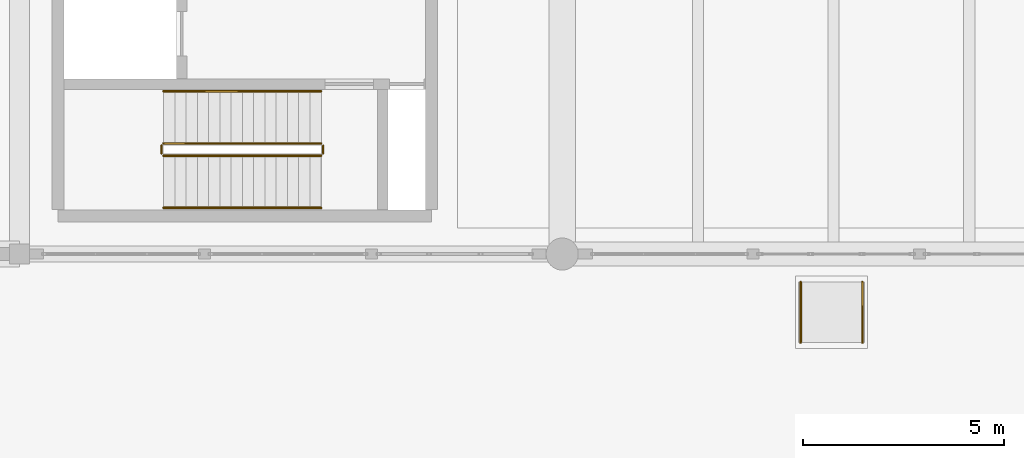
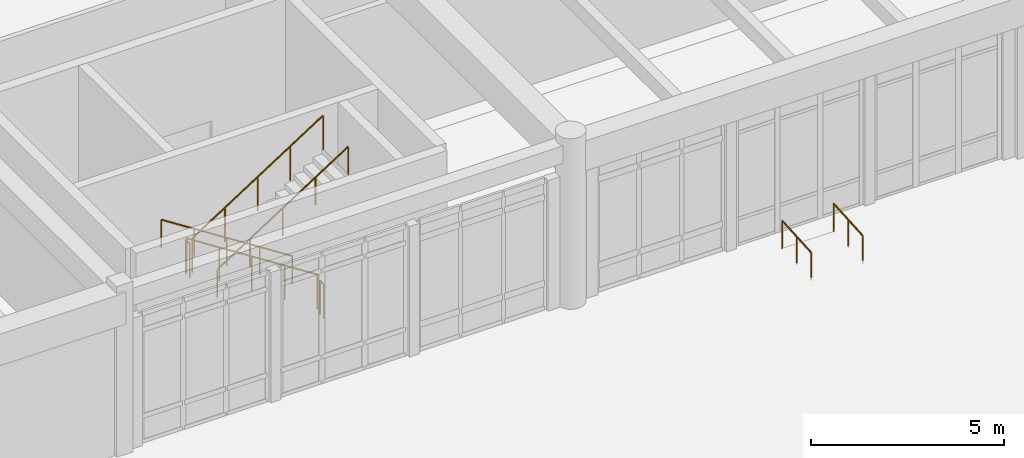
# One storey, part 134 of 138: 8 railings.
"""IFC4 building model written with IfcOpenShell, lengths in metres."""

from ifc_helpers import new_model, si_unit, direction, frame, origin, origin_2d, place, context, subcontext, project, spatial, circle, extrude, material, type_object, element, save


model = new_model("IFC4")

# Units and contexts
model_context = context("Model", 3, precision=1e-05, world=origin(), true_north=direction((0.0, 1.0)))
body_context = subcontext(model_context, "Body", "Model", "MODEL_VIEW")
ifc_project = project(units=[si_unit("LENGTHUNIT", "METRE"), si_unit("AREAUNIT", "SQUARE_METRE"), si_unit("VOLUMEUNIT", "CUBIC_METRE"), si_unit("PLANEANGLEUNIT", "RADIAN"), si_unit("MASSUNIT", "GRAM", prefix="KILO")], contexts=[model_context])

# Site, building, storey
site_placement = place(None, origin())
site = spatial("IfcSite", under=ifc_project, at=site_placement, CompositionType="ELEMENT")
building_placement = place(site_placement, origin())
building = spatial("IfcBuilding", under=site, at=building_placement, Name="Fikremerkos Civic Library", CompositionType="ELEMENT")
storey_placement = place(building_placement, origin())
storey = spatial("IfcBuildingStorey", under=building, at=storey_placement, Name="L00", CompositionType="ELEMENT", Elevation=0.0)

# Railings
ifc_material_1 = material(Name="Brushed stainless steel", Category="steel")
railing_type_1 = type_object("IfcRailingType", Name="Exterior ramp handrail HRL-02 900", PredefinedType="HANDRAIL", material=ifc_material_1)
for number, where, name in (
    (1, (92.6298828125, 93.800048828125, -0.10009765625), "RMP-05 accessible handrail L"),
    (2, (94.169921875, 93.800048828125, -0.10009765625), "RMP-05 accessible handrail R"),
):
    element("IfcRailing", number, at=place(storey_placement, frame(where)), inside=storey, type_object=railing_type_1, Name=name, PredefinedType="HANDRAIL", context=body_context, shape_type="SweptSolid", body=[
        extrude(circle(Radius=0.02392578125, at=origin_2d()), frame((0.0, 0.0, 0.8759765625), z_axis=(0.0, 0.997780844277, 0.066583682642), x_axis=(-1.0, 0.0, 0.0)), (0.0, 0.0, 1.0), 1.50341796875),
        extrude(circle(Radius=0.02099609375, at=origin_2d()), origin(), (0.0, 0.0, 1.0), 0.851806640625),
        extrude(circle(Radius=0.02099609375, at=origin_2d()), frame((0.0, 0.75, 0.050048828125)), (0.0, 0.0, 1.0), 0.851806640625),
        extrude(circle(Radius=0.02099609375, at=origin_2d()), frame((0.0, 1.5, 0.10009765625)), (0.0, 0.0, 1.0), 0.851806640625),
    ])
ifc_material_2 = material(Name="Painted Steel S275", Category="steel")
railing_type_2 = type_object("IfcRailingType", Name="Interior balustrade guard RLG-INT 1100", PredefinedType="BALUSTRADE", material=ifc_material_2)
railing_1_placement = place(storey_placement, frame((80.699951171875, 98.75, 0.179931640625)))
element("IfcRailing", 3, at=railing_1_placement, inside=storey, type_object=railing_type_2, Name="L00 ST-K5 stair guard 1", PredefinedType="BALUSTRADE", context=body_context, shape_type="SweptSolid", body=[
    extrude(circle(Radius=0.02392578125, at=origin_2d()), frame((0.0, 0.0, 1.076171875), z_axis=(-0.841171666519, 0.0, 0.540768182723), x_axis=(0.0, -1.0, 0.0)), (0.0, 0.0, 1.0), 4.66015625),
    extrude(circle(Radius=0.02099609375, at=origin_2d()), origin(), (0.0, 0.0, 1.0), 1.052001953125),
    extrude(circle(Radius=0.02099609375, at=origin_2d()), frame((-0.97998046875, 0.0, 0.6298828125)), (0.0, 0.0, 1.0), 1.052001953125),
    extrude(circle(Radius=0.02099609375, at=origin_2d()), frame((-1.9599609375, 0.0, 1.260009765625)), (0.0, 0.0, 1.0), 1.052001953125),
    extrude(circle(Radius=0.02099609375, at=origin_2d()), frame((-2.93994140625, 0.0, 1.89013671875)), (0.0, 0.0, 1.0), 1.052001953125),
    extrude(circle(Radius=0.02099609375, at=origin_2d()), frame((-3.919921875, 0.0, 2.52001953125)), (0.0, 0.0, 1.0), 1.052001953125),
])
railing_2_placement = place(storey_placement, frame((76.72998046875, 98.699951171875, 2.699951171875)))
element("IfcRailing", 4, at=railing_2_placement, inside=storey, type_object=railing_type_2, Name="L00 ST-K5 stair guard 2", PredefinedType="BALUSTRADE", context=body_context, shape_type="SweptSolid", body=[
    extrude(circle(Radius=0.02392578125, at=origin_2d()), frame((0.0, 0.0, 1.076171875), z_axis=(0.0, -1.0, 0.0), x_axis=(1.0, 0.0, 0.0)), (0.0, 0.0, 1.0), 0.199951171875),
    extrude(circle(Radius=0.02099609375, at=origin_2d()), origin(), (0.0, 0.0, 1.0), 1.052001953125),
    extrude(circle(Radius=0.02099609375, at=origin_2d()), frame((0.0, -0.199951171875, 0.0)), (0.0, 0.0, 1.0), 1.052001953125),
])
railing_3_placement = place(storey_placement, frame((76.780029296875, 98.449951171875, 2.8798828125)))
element("IfcRailing", 5, at=railing_3_placement, inside=storey, type_object=railing_type_2, Name="L00 ST-K5 stair guard 3", PredefinedType="BALUSTRADE", context=body_context, shape_type="SweptSolid", body=[
    extrude(circle(Radius=0.02392578125, at=origin_2d()), frame((0.0, 0.0, 1.076171875), z_axis=(0.841171666519, 0.0, 0.540768182723), x_axis=(0.0, 1.0, 0.0)), (0.0, 0.0, 1.0), 4.66015625),
    extrude(circle(Radius=0.02099609375, at=origin_2d()), origin(), (0.0, 0.0, 1.0), 1.052001953125),
    extrude(circle(Radius=0.02099609375, at=origin_2d()), frame((0.97998046875, 0.0, 0.6298828125)), (0.0, 0.0, 1.0), 1.052001953125),
    extrude(circle(Radius=0.02099609375, at=origin_2d()), frame((1.9599609375, 0.0, 1.260009765625)), (0.0, 0.0, 1.0), 1.052001953125),
    extrude(circle(Radius=0.02099609375, at=origin_2d()), frame((2.93994140625, 0.0, 1.89013671875)), (0.0, 0.0, 1.0), 1.052001953125),
    extrude(circle(Radius=0.02099609375, at=origin_2d()), frame((3.919921875, 0.0, 2.52001953125)), (0.0, 0.0, 1.0), 1.052001953125),
])
railing_4_placement = place(storey_placement, frame((80.75, 98.699951171875, 0.0)))
element("IfcRailing", 6, at=railing_4_placement, inside=storey, type_object=railing_type_2, Name="L00 ST-K5 stair guard 4", PredefinedType="BALUSTRADE", context=body_context, shape_type="SweptSolid", body=[
    extrude(circle(Radius=0.02392578125, at=origin_2d()), frame((0.0, 0.0, 1.076171875), z_axis=(0.0, -1.0, 0.0), x_axis=(1.0, 0.0, 0.0)), (0.0, 0.0, 1.0), 0.199951171875),
    extrude(circle(Radius=0.02099609375, at=origin_2d()), origin(), (0.0, 0.0, 1.0), 1.052001953125),
    extrude(circle(Radius=0.02099609375, at=origin_2d()), frame((0.0, -0.199951171875, 0.0)), (0.0, 0.0, 1.0), 1.052001953125),
])
railing_type_3 = type_object("IfcRailingType", Name="Wall and flight handrail HRL-01 900", PredefinedType="HANDRAIL", material=ifc_material_1)
railing_5_placement = place(storey_placement, frame((80.699951171875, 100.050048828125, 0.179931640625)))
element("IfcRailing", 7, at=railing_5_placement, inside=storey, type_object=railing_type_3, Name="L00 ST-K5 stair handrail 1", PredefinedType="HANDRAIL", context=body_context, shape_type="SweptSolid", body=[
    extrude(circle(Radius=0.02392578125, at=origin_2d()), frame((0.0, 0.0, 0.8759765625), z_axis=(-0.841171666519, 0.0, 0.540768182723), x_axis=(0.0, -1.0, 0.0)), (0.0, 0.0, 1.0), 4.66015625),
    extrude(circle(Radius=0.02099609375, at=origin_2d()), origin(), (0.0, 0.0, 1.0), 0.851806640625),
    extrude(circle(Radius=0.02099609375, at=origin_2d()), frame((-0.97998046875, 0.0, 0.6298828125)), (0.0, 0.0, 1.0), 0.851806640625),
    extrude(circle(Radius=0.02099609375, at=origin_2d()), frame((-1.9599609375, 0.0, 1.260009765625)), (0.0, 0.0, 1.0), 0.851806640625),
    extrude(circle(Radius=0.02099609375, at=origin_2d()), frame((-2.93994140625, 0.0, 1.89013671875)), (0.0, 0.0, 1.0), 0.851806640625),
    extrude(circle(Radius=0.02099609375, at=origin_2d()), frame((-3.919921875, 0.0, 2.52001953125)), (0.0, 0.0, 1.0), 0.851806640625),
])
railing_6_placement = place(storey_placement, frame((76.780029296875, 97.14990234375, 2.8798828125)))
element("IfcRailing", 8, at=railing_6_placement, inside=storey, type_object=railing_type_3, Name="L00 ST-K5 stair handrail 2", PredefinedType="HANDRAIL", context=body_context, shape_type="SweptSolid", body=[
    extrude(circle(Radius=0.02392578125, at=origin_2d()), frame((0.0, 0.0, 0.8759765625), z_axis=(0.841171666519, 0.0, 0.540768182723), x_axis=(0.0, 1.0, 0.0)), (0.0, 0.0, 1.0), 4.66015625),
    extrude(circle(Radius=0.02099609375, at=origin_2d()), origin(), (0.0, 0.0, 1.0), 0.851806640625),
    extrude(circle(Radius=0.02099609375, at=origin_2d()), frame((0.97998046875, 0.0, 0.6298828125)), (0.0, 0.0, 1.0), 0.851806640625),
    extrude(circle(Radius=0.02099609375, at=origin_2d()), frame((1.9599609375, 0.0, 1.260009765625)), (0.0, 0.0, 1.0), 0.851806640625),
    extrude(circle(Radius=0.02099609375, at=origin_2d()), frame((2.93994140625, 0.0, 1.89013671875)), (0.0, 0.0, 1.0), 0.851806640625),
    extrude(circle(Radius=0.02099609375, at=origin_2d()), frame((3.919921875, 0.0, 2.52001953125)), (0.0, 0.0, 1.0), 0.851806640625),
])

save(model, "model.ifc")
